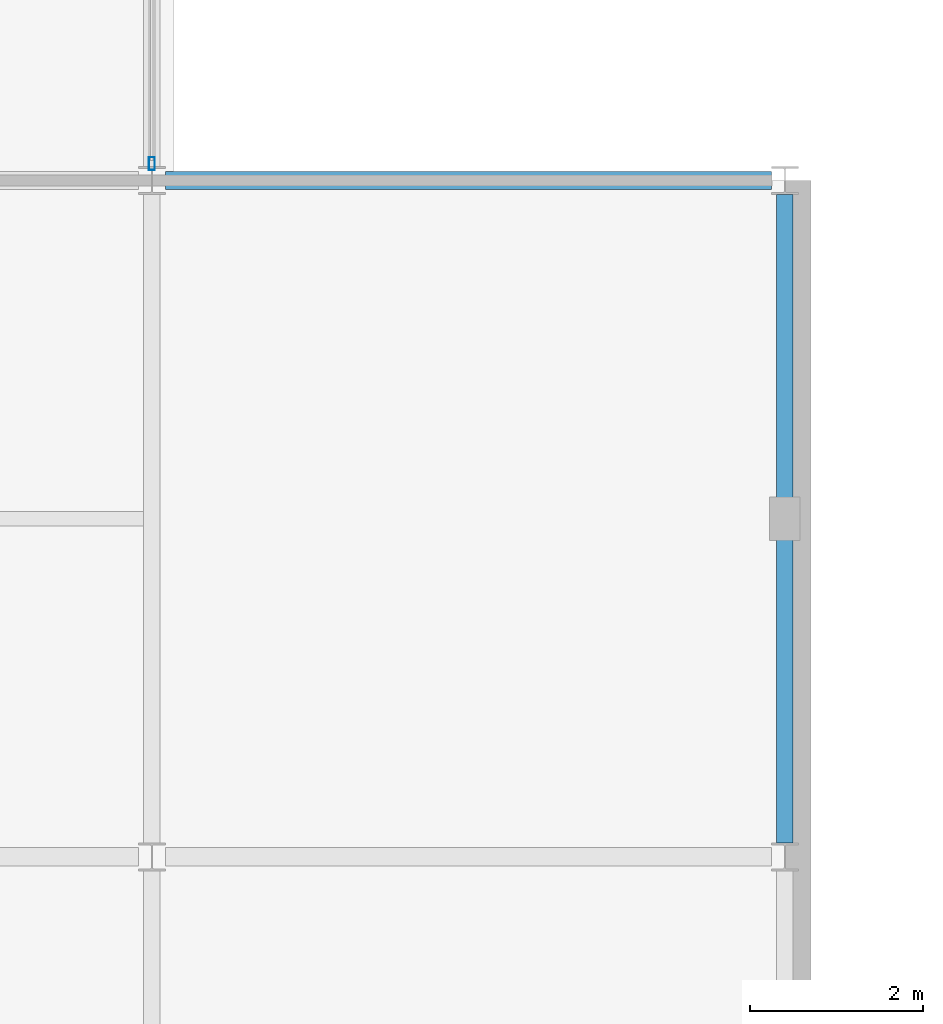
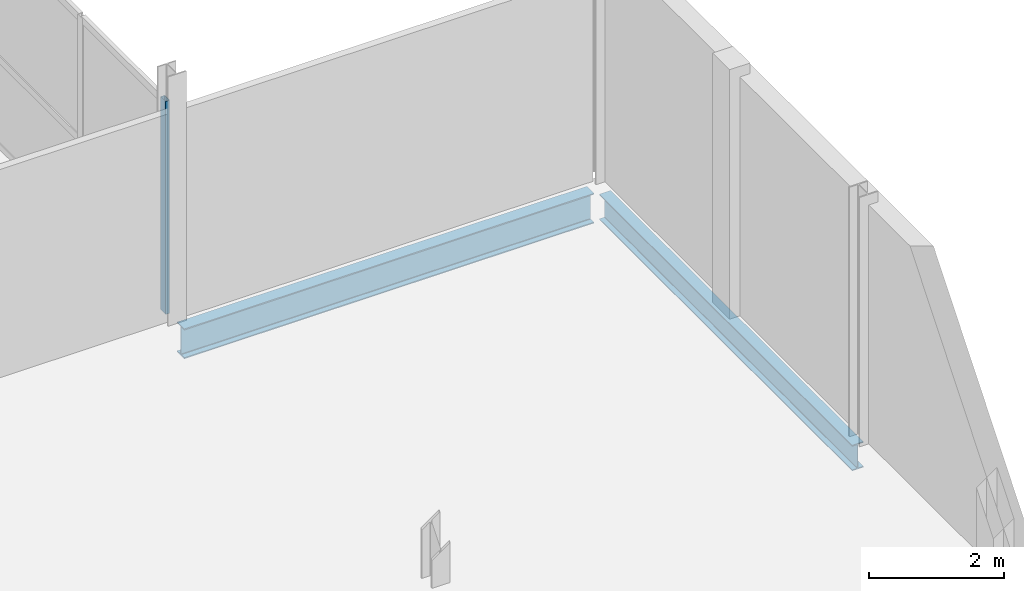
# One storey, part 12 of 77: 2 beams, 1 member, 1 element without a shape of its own.
"""IFC4 building model written with IfcOpenShell, lengths in metres."""

from ifc_helpers import new_model, si_unit, direction, frame, origin, origin_2d, place, context, subcontext, project, spatial, hollow_rectangle, i_section, extrude, material, layer, layer_set, material_profile, profile_set, type_object, element, aggregate, save


model = new_model("IFC4")

# Units and contexts
model_context = context("Model", 3, precision=1e-05, world=origin(), true_north=direction((0.0, 1.0)))
body_context = subcontext(model_context, "Body", "Model", "MODEL_VIEW")
ifc_project = project(units=[si_unit("LENGTHUNIT", "METRE"), si_unit("AREAUNIT", "SQUARE_METRE"), si_unit("VOLUMEUNIT", "CUBIC_METRE"), si_unit("PLANEANGLEUNIT", "RADIAN"), si_unit("MASSUNIT", "GRAM", prefix="KILO")], contexts=[model_context])

# Site, building, storey
site_placement = place(None, origin())
site = spatial("IfcSite", under=ifc_project, at=site_placement, CompositionType="ELEMENT")
building_placement = place(site_placement, origin())
building = spatial("IfcBuilding", under=site, at=building_placement, Name="Quillay Park Conservatory", CompositionType="ELEMENT")
storey_placement = place(building_placement, frame((0.0, 0.0, 5.39990234375)))
storey = spatial("IfcBuildingStorey", under=building, at=storey_placement, Name="L01", CompositionType="ELEMENT", Elevation=5.39990234375)

# Curtain wall, member
ifc_material_1 = material(Name="Thermally Broken Anodised Aluminium 6063-T6", Category="aluminium")
ifc_layer = layer(ifc_material_1, 0.1650390625)
ifc_layer_set = layer_set([ifc_layer], Name="UNITISED CURTAIN WALL PODIUM (Thermally Broken Anodised Aluminium 6063-T6)")
curtain_wall_type = type_object("IfcCurtainWallType", Name="UNITISED CURTAIN WALL PODIUM", PredefinedType="USERDEFINED", material=ifc_layer_set)
curtain_wall_placement = place(storey_placement, origin())
curtain_wall = element("IfcCurtainWall", 1, at=curtain_wall_placement, inside=storey, type_object=curtain_wall_type, Name="L01 Unitised Curtain Wall 200", ObjectType="UNITISED CURTAIN WALL", PredefinedType="USERDEFINED")
ifc_material_2 = material(Name="Thermally Broken Anodised Aluminium 6063-T6", Category="aluminium")
ifc_material_profile_1 = material_profile(ifc_material_2, hollow_rectangle(XDim=0.070068359375, YDim=0.14990234375, WallThickness=0.00341796875, at=origin_2d()), Name="AL70x150x3.5")
ifc_profile_set_1 = profile_set([ifc_material_profile_1], Name="Thermally Broken Anodised Aluminium 6063-T6")
member_type = type_object("IfcMemberType", Name="CURTAIN WALL MULLION 70 X150", PredefinedType="MULLION", material=ifc_profile_set_1)
member_placement = place(storey_placement, frame((22.14990234375, 15.794921875, 0.0), z_axis=(0.0, 0.0, 1.0), x_axis=(1.0, 0.0, 0.0)))
member = element("IfcMember", 2, at=member_placement, type_object=member_type, Name="CW-P1 mullion 4", PredefinedType="MULLION", context=body_context, shape_type="SweptSolid", body=[
    extrude(hollow_rectangle(XDim=0.070068359375, YDim=0.14990234375, WallThickness=0.00341796875, at=origin_2d()), origin(), (0.0, 0.0, 1.0), 3.843994140625),
])
aggregate(curtain_wall, [member])

# Beams
ifc_material_3 = material(Name="Steel ASTM A992 Grade 50", Category="steel")
ifc_material_profile_2 = material_profile(ifc_material_3, i_section(OverallWidth=0.19189453125, OverallDepth=0.462890625, WebThickness=0.010498046875, FlangeThickness=0.017578125, FilletRadius=0.012939453125, at=origin_2d()), Name="W460x89")
ifc_profile_set_2 = profile_set([ifc_material_profile_2], Name="Steel ASTM A992 Grade 50")
beam_type_1 = type_object("IfcBeamType", Name="PRIMARY FLOOR GIRDER W460 X89", PredefinedType="BEAM", material=ifc_profile_set_2)
beam_1_placement = place(storey_placement, frame((29.449951171875, 7.96142578125, -0.42138671875), z_axis=(0.0, 1.0, 0.0), x_axis=(-1.0, 0.0, 0.0)))
element("IfcBeam", 3, at=beam_1_placement, inside=storey, type_object=beam_type_1, Name="L01 beam BM-V3Y-1311", PredefinedType="BEAM", context=body_context, shape_type="SweptSolid", body=[
    extrude(i_section(OverallWidth=0.19189453125, OverallDepth=0.462890625, WebThickness=0.010498046875, FlangeThickness=0.017578125, FilletRadius=0.012939453125, at=origin_2d()), origin(), (0.0, 0.0, 1.0), 7.47705078125),
])
ifc_material_4 = material(Name="Steel ASTM A992 Grade 50", Category="steel")
ifc_material_profile_3 = material_profile(ifc_material_4, i_section(OverallWidth=0.2109375, OverallDepth=0.5390625, WebThickness=0.01171875, FlangeThickness=0.018798828125, FilletRadius=0.013916015625, at=origin_2d()), Name="W530x109")
ifc_profile_set_3 = profile_set([ifc_material_profile_3], Name="Steel ASTM A992 Grade 50")
beam_type_2 = type_object("IfcBeamType", Name="PRIMARY FLOOR GIRDER W530 X109", PredefinedType="BEAM", material=ifc_profile_set_3)
beam_2_placement = place(storey_placement, frame((22.304443359375, 15.60009765625, -0.45947265625), z_axis=(1.0, 0.0, 0.0), x_axis=(0.0, 1.0, 0.0)))
element("IfcBeam", 4, at=beam_2_placement, inside=storey, type_object=beam_type_2, Name="L01 beam BM-V3X-1272", PredefinedType="BEAM", context=body_context, shape_type="SweptSolid", body=[
    extrude(i_section(OverallWidth=0.2109375, OverallDepth=0.5390625, WebThickness=0.01171875, FlangeThickness=0.018798828125, FilletRadius=0.013916015625, at=origin_2d()), origin(), (0.0, 0.0, 1.0), 6.990966796875),
])

save(model, "model.ifc")
